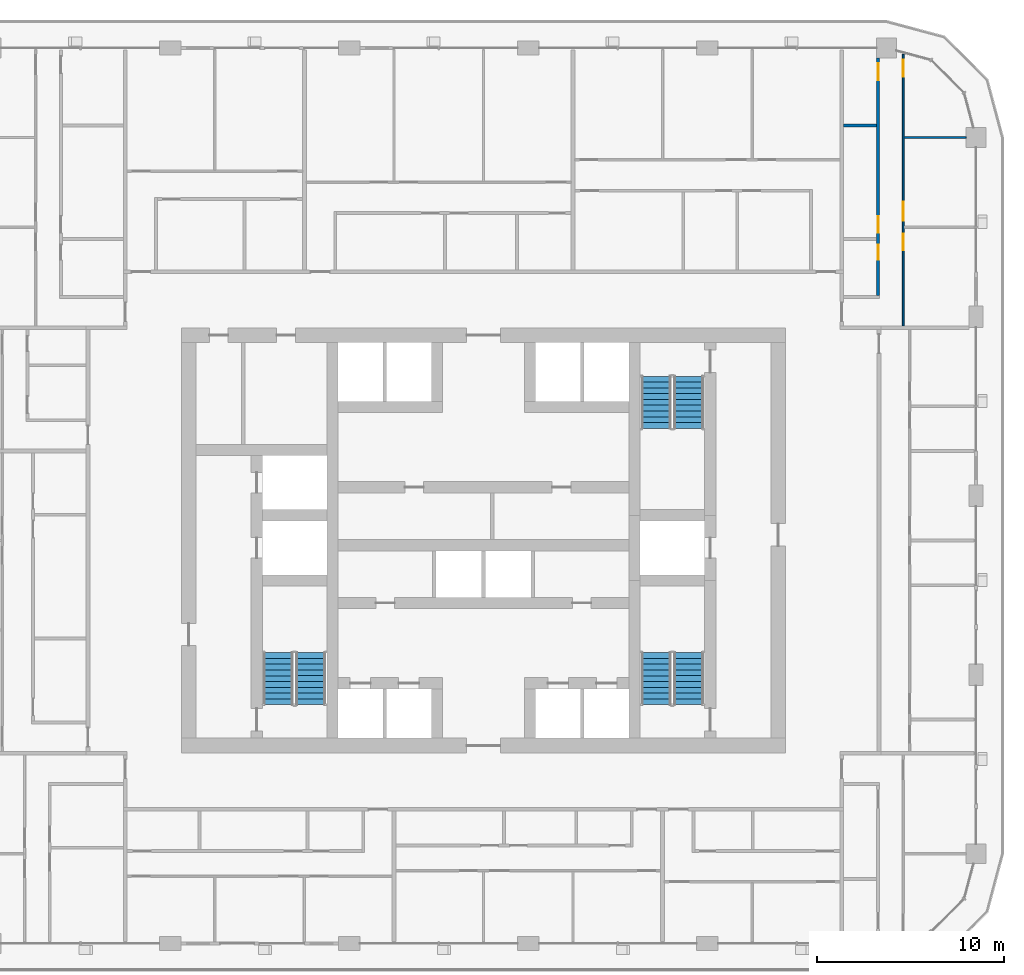
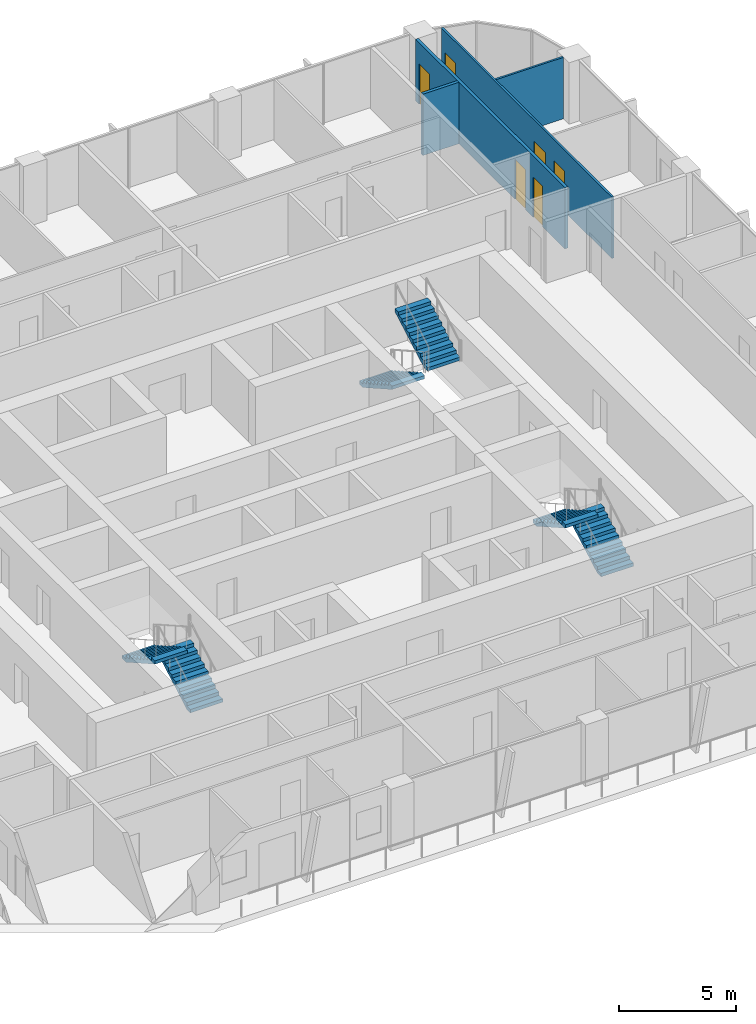
# One storey, part 15 of 22: 6 doors, 6 stair flights, 4 walls, 6 openings, 3 elements without a shape of their own.
"""IFC4 building model written with IfcOpenShell, lengths in metres."""

from ifc_helpers import new_model, si_unit, direction, frame, frame_2d, origin, place, context, subcontext, project, spatial, polyline, rectangle, outline, extrude, material, layer, layer_set, type_object, element, fill, aggregate, save


model = new_model("IFC4")

# Units and contexts
model_context = context("Model", 3, precision=1e-05, world=origin(), true_north=direction((0.0, 1.0)))
body_context = subcontext(model_context, "Body", "Model", "MODEL_VIEW")
ifc_project = project(units=[si_unit("LENGTHUNIT", "METRE"), si_unit("AREAUNIT", "SQUARE_METRE"), si_unit("VOLUMEUNIT", "CUBIC_METRE"), si_unit("PLANEANGLEUNIT", "RADIAN"), si_unit("MASSUNIT", "GRAM", prefix="KILO")], contexts=[model_context])

# Site, building, storey
site_placement = place(None, origin())
site = spatial("IfcSite", under=ifc_project, at=site_placement, CompositionType="ELEMENT")
building_placement = place(site_placement, origin())
building = spatial("IfcBuilding", under=site, at=building_placement, Name="Madar Terraces", CompositionType="ELEMENT")
storey_placement = place(building_placement, frame((0.0, 0.0, 129.60009765625)))
storey = spatial("IfcBuildingStorey", under=building, at=storey_placement, Name="L33", CompositionType="ELEMENT", Elevation=129.60009765625)

# Wall
ifc_material_1 = material(Name="Gypsum board on steel studs", Category="steel")
ifc_layer_1 = layer(ifc_material_1, 0.10009765625)
ifc_layer_set_1 = layer_set([ifc_layer_1], Name="Flat partition 100")
wall_type_1 = type_object("IfcWallType", Name="Flat partition 100", PredefinedType="PARTITIONING", material=ifc_layer_set_1)
wall_1_placement = place(storey_placement, frame((53.75, 48.0, 0.0), z_axis=(0.0, 0.0, 1.0), x_axis=(1.0, 0.0, 0.0)))
element("IfcWall", 1, at=wall_1_placement, inside=storey, type_object=wall_type_1, Name="Flat partition 100", PredefinedType="PARTITIONING", context=body_context, shape_type="SweptSolid", body=[
    extrude(rectangle(XDim=3.324951171875, YDim=0.10009765625, at=frame_2d((1.66259765625, 0.0))), origin(), (0.0, 0.0, 1.0), 3.199951171875),
])

# Wall, openings, doors
wall_2_placement = place(storey_placement, frame((53.699951171875, 52.458740234375, 0.0), z_axis=(0.0, 0.0, 1.0), x_axis=(0.0, -1.0, 0.0)))
wall_2 = element("IfcWall", 2, at=wall_2_placement, inside=storey, type_object=wall_type_1, Name="Flat partition 100", PredefinedType="PARTITIONING", context=body_context, shape_type="SweptSolid", body=[
    extrude(rectangle(XDim=14.558837890625, YDim=0.10009765625, at=frame_2d((7.279296875, 0.0))), origin(), (0.0, 0.0, 1.0), 3.199951171875),
])
opening_1_placement = place(wall_2_placement, frame((9.60888671875, 0.0, 0.0)))
opening_1 = element("IfcOpeningElement", 3, at=opening_1_placement, cuts=wall_2, Name="Opening D2", PredefinedType="OPENING", context=body_context, shape_type="SweptSolid", body=[
    extrude(rectangle(XDim=0.89990234375, YDim=2.10009765625, at=frame_2d((0.449951171875, 1.050048828125))), frame((0.0, 0.06005859375, 0.0), z_axis=(0.0, -1.0, 0.0), x_axis=(1.0, 0.0, 0.0)), (0.0, 0.0, 1.0), 0.1201171875),
])
opening_2_placement = place(wall_2_placement, frame((7.90869140625, 0.0, 0.0)))
opening_2 = element("IfcOpeningElement", 4, at=opening_2_placement, cuts=wall_2, Name="Opening D3", PredefinedType="OPENING", context=body_context, shape_type="SweptSolid", body=[
    extrude(rectangle(XDim=1.0, YDim=2.10009765625, at=frame_2d((0.5, 1.050048828125))), frame((0.0, 0.06005859375, 0.0), z_axis=(0.0, -1.0, 0.0), x_axis=(1.0, 0.0, 0.0)), (0.0, 0.0, 1.0), 0.1201171875),
])
opening_3_placement = place(wall_2_placement, frame((0.300048828125, 0.0, 0.0)))
opening_3 = element("IfcOpeningElement", 5, at=opening_3_placement, cuts=wall_2, Name="Opening D2", PredefinedType="OPENING", context=body_context, shape_type="SweptSolid", body=[
    extrude(rectangle(XDim=0.89990234375, YDim=2.10009765625, at=frame_2d((0.449951171875, 1.050048828125))), frame((0.0, 0.06005859375, 0.0), z_axis=(0.0, -1.0, 0.0), x_axis=(1.0, 0.0, 0.0)), (0.0, 0.0, 1.0), 0.1201171875),
])
ifc_material_2 = material(Name="Timber door leaf", Category="wood")
door_type_1 = type_object("IfcDoorType", Name="Flat living room door 1000", OperationType="NOTDEFINED", PredefinedType="DOOR", material=ifc_material_2)
door_1_placement = place(opening_2_placement, origin())
door_1 = element("IfcDoor", 6, at=door_1_placement, inside=storey, type_object=door_type_1, Name="Flat living room door 1000", OperationType="SINGLE_SWING_RIGHT", OverallHeight=2.10009765625, OverallWidth=1.0, PredefinedType="DOOR", context=body_context, shape_type="SweptSolid", body=[
    extrude(rectangle(XDim=1.0, YDim=2.10009765625, at=frame_2d((0.5, 1.050048828125))), frame((0.0, 0.02490234375, 0.0), z_axis=(0.0, -1.0, 0.0), x_axis=(1.0, 0.0, 0.0)), (0.0, 0.0, 1.0), 0.050048828125),
])
fill(opening_2, door_1)
ifc_material_3 = material(Name="Timber door leaf", Category="wood")
door_type_2 = type_object("IfcDoorType", Name="Flat room door 900", OperationType="NOTDEFINED", PredefinedType="DOOR", material=ifc_material_3)
door_2_placement = place(opening_1_placement, origin())
door_2 = element("IfcDoor", 7, at=door_2_placement, inside=storey, type_object=door_type_2, Name="Flat room door 900", OperationType="SINGLE_SWING_LEFT", OverallHeight=2.10009765625, OverallWidth=0.89990234375, PredefinedType="DOOR", context=body_context, shape_type="SweptSolid", body=[
    extrude(rectangle(XDim=0.89990234375, YDim=2.10009765625, at=frame_2d((0.449951171875, 1.050048828125))), frame((0.0, 0.02490234375, 0.0), z_axis=(0.0, -1.0, 0.0), x_axis=(1.0, 0.0, 0.0)), (0.0, 0.0, 1.0), 0.050048828125),
])
fill(opening_1, door_2)
door_3_placement = place(opening_3_placement, origin())
door_3 = element("IfcDoor", 8, at=door_3_placement, inside=storey, type_object=door_type_2, Name="Flat room door 900", OperationType="SINGLE_SWING_LEFT", OverallHeight=2.10009765625, OverallWidth=0.89990234375, PredefinedType="DOOR", context=body_context, shape_type="SweptSolid", body=[
    extrude(rectangle(XDim=0.89990234375, YDim=2.10009765625, at=frame_2d((0.449951171875, 1.050048828125))), frame((0.0, 0.02490234375, 0.0), z_axis=(0.0, -1.0, 0.0), x_axis=(1.0, 0.0, 0.0)), (0.0, 0.0, 1.0), 0.050048828125),
])
fill(opening_3, door_3)

# Wall
ifc_material_4 = material(Name="Lightweight blockwork", Category="masonry")
ifc_layer_2 = layer(ifc_material_4, 0.14990234375)
ifc_layer_set_2 = layer_set([ifc_layer_2], Name="Flat wet-room partition 150")
wall_type_2 = type_object("IfcWallType", Name="Flat wet-room partition 150", PredefinedType="PARTITIONING", material=ifc_layer_set_2)
wall_3_placement = place(storey_placement, frame((50.5, 48.646240234375, 0.0), z_axis=(0.0, 0.0, 1.0), x_axis=(1.0, 0.0, 0.0)))
element("IfcWall", 9, at=wall_3_placement, inside=storey, type_object=wall_type_2, Name="Flat wet-room partition 150", PredefinedType="PARTITIONING", context=body_context, shape_type="SweptSolid", body=[
    extrude(rectangle(XDim=1.77490234375, YDim=0.14990234375, at=frame_2d((0.887451171875, 0.0))), origin(), (0.0, 0.0, 1.0), 3.199951171875),
])

# Wall, openings, doors
wall_4_placement = place(storey_placement, frame((52.35009765625, 39.52490234375, 0.0), z_axis=(0.0, 0.0, 1.0), x_axis=(0.0, 1.0, 0.0)))
wall_4 = element("IfcWall", 10, at=wall_4_placement, inside=storey, type_object=wall_type_2, Name="Flat wet-room partition 150", PredefinedType="PARTITIONING", context=body_context, shape_type="SweptSolid", body=[
    extrude(rectangle(XDim=12.75, YDim=0.14990234375, at=frame_2d((6.375, 0.0))), origin(), (0.0, 0.0, 1.0), 3.199951171875),
])
opening_4_placement = place(wall_4_placement, frame((1.915283203125, 0.0, 0.0)))
opening_4 = element("IfcOpeningElement", 11, at=opening_4_placement, cuts=wall_4, Name="Opening D4", PredefinedType="OPENING", context=body_context, shape_type="SweptSolid", body=[
    extrude(rectangle(XDim=0.800048828125, YDim=2.10009765625, at=frame_2d((0.39990234375, 1.050048828125))), frame((0.0, 0.0849609375, 0.0), z_axis=(0.0, -1.0, 0.0), x_axis=(1.0, 0.0, 0.0)), (0.0, 0.0, 1.0), 0.169921875),
])
opening_5_placement = place(wall_4_placement, frame((3.365478515625, 0.0, 0.0)))
opening_5 = element("IfcOpeningElement", 12, at=opening_5_placement, cuts=wall_4, Name="Opening D2", PredefinedType="OPENING", context=body_context, shape_type="SweptSolid", body=[
    extrude(rectangle(XDim=0.89990234375, YDim=2.10009765625, at=frame_2d((0.449951171875, 1.050048828125))), frame((0.0, 0.0849609375, 0.0), z_axis=(0.0, -1.0, 0.0), x_axis=(1.0, 0.0, 0.0)), (0.0, 0.0, 1.0), 0.169921875),
])
opening_6_placement = place(wall_4_placement, frame((11.550048828125, 0.0, 0.0)))
opening_6 = element("IfcOpeningElement", 13, at=opening_6_placement, cuts=wall_4, Name="Opening D5", PredefinedType="OPENING", context=body_context, shape_type="SweptSolid", body=[
    extrude(rectangle(XDim=0.89990234375, YDim=2.10009765625, at=frame_2d((0.449951171875, 1.050048828125))), frame((0.0, 0.0849609375, 0.0), z_axis=(0.0, -1.0, 0.0), x_axis=(1.0, 0.0, 0.0)), (0.0, 0.0, 1.0), 0.169921875),
])
ifc_material_5 = material(Name="Timber door leaf", Category="wood")
door_type_3 = type_object("IfcDoorType", Name="Flat accessible bathroom door 900", OperationType="NOTDEFINED", PredefinedType="DOOR", material=ifc_material_5)
door_4_placement = place(opening_6_placement, origin())
door_4 = element("IfcDoor", 14, at=door_4_placement, inside=storey, type_object=door_type_3, Name="Flat accessible bathroom door 900", OperationType="SINGLE_SWING_RIGHT", OverallHeight=2.10009765625, OverallWidth=0.89990234375, PredefinedType="DOOR", context=body_context, shape_type="SweptSolid", body=[
    extrude(rectangle(XDim=0.89990234375, YDim=2.10009765625, at=frame_2d((0.449951171875, 1.050048828125))), frame((0.0, 0.02490234375, 0.0), z_axis=(0.0, -1.0, 0.0), x_axis=(1.0, 0.0, 0.0)), (0.0, 0.0, 1.0), 0.050048828125),
])
fill(opening_6, door_4)
ifc_material_6 = material(Name="Timber door leaf", Category="wood")
door_type_4 = type_object("IfcDoorType", Name="Flat bathroom door 800", OperationType="NOTDEFINED", PredefinedType="DOOR", material=ifc_material_6)
door_5_placement = place(opening_4_placement, origin())
door_5 = element("IfcDoor", 15, at=door_5_placement, inside=storey, type_object=door_type_4, Name="Flat bathroom door 800", OperationType="SINGLE_SWING_RIGHT", OverallHeight=2.10009765625, OverallWidth=0.800048828125, PredefinedType="DOOR", context=body_context, shape_type="SweptSolid", body=[
    extrude(rectangle(XDim=0.800048828125, YDim=2.10009765625, at=frame_2d((0.39990234375, 1.050048828125))), frame((0.0, 0.02490234375, 0.0), z_axis=(0.0, -1.0, 0.0), x_axis=(1.0, 0.0, 0.0)), (0.0, 0.0, 1.0), 0.050048828125),
])
fill(opening_4, door_5)
door_6_placement = place(opening_5_placement, origin())
door_6 = element("IfcDoor", 16, at=door_6_placement, inside=storey, type_object=door_type_2, Name="Flat room door 900", OperationType="SINGLE_SWING_LEFT", OverallHeight=2.10009765625, OverallWidth=0.89990234375, PredefinedType="DOOR", context=body_context, shape_type="SweptSolid", body=[
    extrude(rectangle(XDim=0.89990234375, YDim=2.10009765625, at=frame_2d((0.449951171875, 1.050048828125))), frame((0.0, 0.02490234375, 0.0), z_axis=(0.0, -1.0, 0.0), x_axis=(1.0, 0.0, 0.0)), (0.0, 0.0, 1.0), 0.050048828125),
])
fill(opening_5, door_6)

# Stair, stair flights
ifc_material_7 = material(Name="Concrete C50/60", Category="concrete")
stair_type_1 = type_object("IfcStairType", Name="Stair ST1 protected exit", PredefinedType="HALF_TURN_STAIR", material=ifc_material_7)
stair_1_placement = place(storey_placement, origin())
stair_1 = element("IfcStair", 17, at=stair_1_placement, inside=storey, type_object=stair_type_1, Name="L33 Protected Exit Stair ST1", PredefinedType="HALF_TURN_STAIR")
ifc_material_8 = material(Name="Concrete C50/60", Category="concrete")
stair_flight_type_1 = type_object("IfcStairFlightType", Name="Stair flight ST1-F4, 1600 wide, 10 risers", PredefinedType="STRAIGHT", material=ifc_material_8)
stair_flight_1_placement = place(storey_placement, frame((21.949951171875, 17.60009765625, 0.0), z_axis=(0.0, 0.0, 1.0), x_axis=(0.0, 1.0, 0.0)))
stair_flight_1 = element("IfcStairFlight", 18, at=stair_flight_1_placement, type_object=stair_flight_type_1, Name="ST1 flight 1", NumberOfRisers=10, NumberOfTreads=9, PredefinedType="STRAIGHT", RiserHeight=0.175, TreadLength=0.31, context=body_context, shape_type="SweptSolid", body=[
    extrude(outline(polyline([(0.0, 0.0), (0.0, 0.175048828125), (0.31005859375, 0.175048828125), (0.31005859375, 0.35009765625), (0.6201171875, 0.35009765625), (0.6201171875, 0.52490234375), (0.929931640625, 0.52490234375), (0.929931640625, 0.699951171875), (1.239990234375, 0.699951171875), (1.239990234375, 0.875), (1.550048828125, 0.875), (1.550048828125, 1.050048828125), (1.860107421875, 1.050048828125), (1.860107421875, 1.22509765625), (2.169921875, 1.22509765625), (2.169921875, 1.39990234375), (2.47998046875, 1.39990234375), (2.47998046875, 1.574951171875), (2.7900390625, 1.574951171875), (2.7900390625, 1.75), (2.7900390625, 1.40283203125), (0.304931640625, 0.0), (0.0, 0.0)])), frame((0.0, 0.800048828125, 0.0), z_axis=(0.0, -1.0, 0.0), x_axis=(1.0, 0.0, 0.0)), (0.0, 0.0, 1.0), 1.60009765625),
])
stair_flight_2_placement = place(storey_placement, frame((20.199951171875, 20.389892578125, 1.75), z_axis=(0.0, 0.0, 1.0), x_axis=(0.0, -1.0, 0.0)))
stair_flight_2 = element("IfcStairFlight", 19, at=stair_flight_2_placement, type_object=stair_flight_type_1, Name="ST1 flight 2", NumberOfRisers=10, NumberOfTreads=9, PredefinedType="STRAIGHT", RiserHeight=0.175, TreadLength=0.31, context=body_context, shape_type="SweptSolid", body=[
    extrude(outline(polyline([(0.0, 0.0), (0.0, 0.175048828125), (0.31005859375, 0.175048828125), (0.31005859375, 0.35009765625), (0.6201171875, 0.35009765625), (0.6201171875, 0.52490234375), (0.929931640625, 0.52490234375), (0.929931640625, 0.699951171875), (1.239990234375, 0.699951171875), (1.239990234375, 0.875), (1.550048828125, 0.875), (1.550048828125, 1.050048828125), (1.860107421875, 1.050048828125), (1.860107421875, 1.22509765625), (2.169921875, 1.22509765625), (2.169921875, 1.39990234375), (2.47998046875, 1.39990234375), (2.47998046875, 1.574951171875), (2.7900390625, 1.574951171875), (2.7900390625, 1.75), (2.7900390625, 1.40283203125), (0.304931640625, 0.0), (0.0, 0.0)])), frame((0.0, 0.800048828125, 0.0), z_axis=(0.0, -1.0, 0.0), x_axis=(1.0, 0.0, 0.0)), (0.0, 0.0, 1.0), 1.60009765625),
])
aggregate(stair_1, [stair_flight_1, stair_flight_2])

ifc_material_9 = material(Name="Concrete C50/60", Category="concrete")
stair_type_2 = type_object("IfcStairType", Name="Stair ST2 protected exit", PredefinedType="HALF_TURN_STAIR", material=ifc_material_9)
stair_2_placement = place(storey_placement, origin())
stair_2 = element("IfcStair", 20, at=stair_2_placement, inside=storey, type_object=stair_type_2, Name="L33 Protected Exit Stair ST2", PredefinedType="HALF_TURN_STAIR")
ifc_material_10 = material(Name="Concrete C50/60", Category="concrete")
stair_flight_type_2 = type_object("IfcStairFlightType", Name="Stair flight ST2-F4, 1600 wide, 10 risers", PredefinedType="STRAIGHT", material=ifc_material_10)
stair_flight_3_placement = place(storey_placement, frame((40.449951171875, 35.199951171875, 0.0), z_axis=(0.0, 0.0, 1.0), x_axis=(0.0, -1.0, 0.0)))
stair_flight_3 = element("IfcStairFlight", 21, at=stair_flight_3_placement, type_object=stair_flight_type_2, Name="ST2 flight 1", NumberOfRisers=10, NumberOfTreads=9, PredefinedType="STRAIGHT", RiserHeight=0.175, TreadLength=0.31, context=body_context, shape_type="SweptSolid", body=[
    extrude(outline(polyline([(0.0, 0.0), (0.0, 0.175048828125), (0.31005859375, 0.175048828125), (0.31005859375, 0.35009765625), (0.6201171875, 0.35009765625), (0.6201171875, 0.52490234375), (0.929931640625, 0.52490234375), (0.929931640625, 0.699951171875), (1.239990234375, 0.699951171875), (1.239990234375, 0.875), (1.550048828125, 0.875), (1.550048828125, 1.050048828125), (1.860107421875, 1.050048828125), (1.860107421875, 1.22509765625), (2.169921875, 1.22509765625), (2.169921875, 1.39990234375), (2.47998046875, 1.39990234375), (2.47998046875, 1.574951171875), (2.7900390625, 1.574951171875), (2.7900390625, 1.75), (2.7900390625, 1.40283203125), (0.304931640625, 0.0), (0.0, 0.0)])), frame((0.0, 0.800048828125, 0.0), z_axis=(0.0, -1.0, 0.0), x_axis=(1.0, 0.0, 0.0)), (0.0, 0.0, 1.0), 1.60009765625),
])
stair_flight_4_placement = place(storey_placement, frame((42.199951171875, 32.409912109375, 1.75), z_axis=(0.0, 0.0, 1.0), x_axis=(0.0, 1.0, 0.0)))
stair_flight_4 = element("IfcStairFlight", 22, at=stair_flight_4_placement, type_object=stair_flight_type_2, Name="ST2 flight 2", NumberOfRisers=10, NumberOfTreads=9, PredefinedType="STRAIGHT", RiserHeight=0.175, TreadLength=0.31, context=body_context, shape_type="SweptSolid", body=[
    extrude(outline(polyline([(0.0, 0.0), (0.0, 0.175048828125), (0.31005859375, 0.175048828125), (0.31005859375, 0.35009765625), (0.6201171875, 0.35009765625), (0.6201171875, 0.52490234375), (0.929931640625, 0.52490234375), (0.929931640625, 0.699951171875), (1.239990234375, 0.699951171875), (1.239990234375, 0.875), (1.550048828125, 0.875), (1.550048828125, 1.050048828125), (1.860107421875, 1.050048828125), (1.860107421875, 1.22509765625), (2.169921875, 1.22509765625), (2.169921875, 1.39990234375), (2.47998046875, 1.39990234375), (2.47998046875, 1.574951171875), (2.7900390625, 1.574951171875), (2.7900390625, 1.75), (2.7900390625, 1.40283203125), (0.304931640625, 0.0), (0.0, 0.0)])), frame((0.0, 0.800048828125, 0.0), z_axis=(0.0, -1.0, 0.0), x_axis=(1.0, 0.0, 0.0)), (0.0, 0.0, 1.0), 1.60009765625),
])
aggregate(stair_2, [stair_flight_3, stair_flight_4])

ifc_material_11 = material(Name="Concrete C50/60", Category="concrete")
stair_type_3 = type_object("IfcStairType", Name="Stair ST3 protected exit", PredefinedType="HALF_TURN_STAIR", material=ifc_material_11)
stair_3_placement = place(storey_placement, origin())
stair_3 = element("IfcStair", 23, at=stair_3_placement, inside=storey, type_object=stair_type_3, Name="L33 Protected Exit Stair ST3", PredefinedType="HALF_TURN_STAIR")
ifc_material_12 = material(Name="Concrete C50/60", Category="concrete")
stair_flight_type_3 = type_object("IfcStairFlightType", Name="Stair flight ST3-F4, 1600 wide, 10 risers", PredefinedType="STRAIGHT", material=ifc_material_12)
stair_flight_5_placement = place(storey_placement, frame((42.199951171875, 17.60009765625, 0.0), z_axis=(0.0, 0.0, 1.0), x_axis=(0.0, 1.0, 0.0)))
stair_flight_5 = element("IfcStairFlight", 24, at=stair_flight_5_placement, type_object=stair_flight_type_3, Name="ST3 flight 1", NumberOfRisers=10, NumberOfTreads=9, PredefinedType="STRAIGHT", RiserHeight=0.175, TreadLength=0.31, context=body_context, shape_type="SweptSolid", body=[
    extrude(outline(polyline([(0.0, 0.0), (0.0, 0.175048828125), (0.31005859375, 0.175048828125), (0.31005859375, 0.35009765625), (0.6201171875, 0.35009765625), (0.6201171875, 0.52490234375), (0.929931640625, 0.52490234375), (0.929931640625, 0.699951171875), (1.239990234375, 0.699951171875), (1.239990234375, 0.875), (1.550048828125, 0.875), (1.550048828125, 1.050048828125), (1.860107421875, 1.050048828125), (1.860107421875, 1.22509765625), (2.169921875, 1.22509765625), (2.169921875, 1.39990234375), (2.47998046875, 1.39990234375), (2.47998046875, 1.574951171875), (2.7900390625, 1.574951171875), (2.7900390625, 1.75), (2.7900390625, 1.40283203125), (0.304931640625, 0.0), (0.0, 0.0)])), frame((0.0, 0.800048828125, 0.0), z_axis=(0.0, -1.0, 0.0), x_axis=(1.0, 0.0, 0.0)), (0.0, 0.0, 1.0), 1.60009765625),
])
stair_flight_6_placement = place(storey_placement, frame((40.449951171875, 20.389892578125, 1.75), z_axis=(0.0, 0.0, 1.0), x_axis=(0.0, -1.0, 0.0)))
stair_flight_6 = element("IfcStairFlight", 25, at=stair_flight_6_placement, type_object=stair_flight_type_3, Name="ST3 flight 2", NumberOfRisers=10, NumberOfTreads=9, PredefinedType="STRAIGHT", RiserHeight=0.175, TreadLength=0.31, context=body_context, shape_type="SweptSolid", body=[
    extrude(outline(polyline([(0.0, 0.0), (0.0, 0.175048828125), (0.31005859375, 0.175048828125), (0.31005859375, 0.35009765625), (0.6201171875, 0.35009765625), (0.6201171875, 0.52490234375), (0.929931640625, 0.52490234375), (0.929931640625, 0.699951171875), (1.239990234375, 0.699951171875), (1.239990234375, 0.875), (1.550048828125, 0.875), (1.550048828125, 1.050048828125), (1.860107421875, 1.050048828125), (1.860107421875, 1.22509765625), (2.169921875, 1.22509765625), (2.169921875, 1.39990234375), (2.47998046875, 1.39990234375), (2.47998046875, 1.574951171875), (2.7900390625, 1.574951171875), (2.7900390625, 1.75), (2.7900390625, 1.40283203125), (0.304931640625, 0.0), (0.0, 0.0)])), frame((0.0, 0.800048828125, 0.0), z_axis=(0.0, -1.0, 0.0), x_axis=(1.0, 0.0, 0.0)), (0.0, 0.0, 1.0), 1.60009765625),
])
aggregate(stair_3, [stair_flight_5, stair_flight_6])

save(model, "model.ifc")
